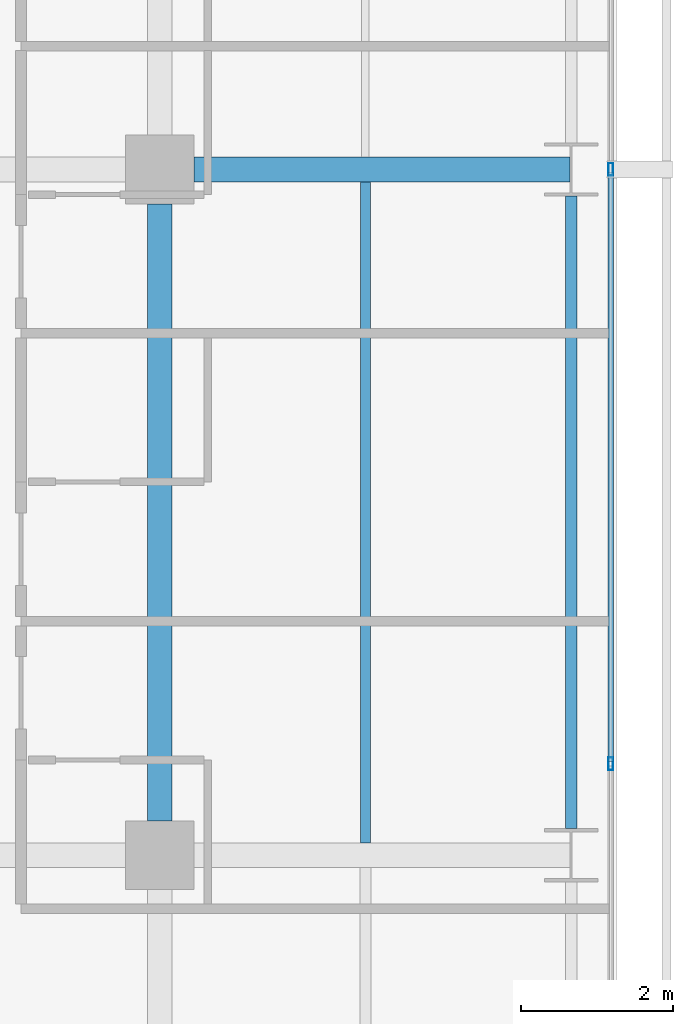
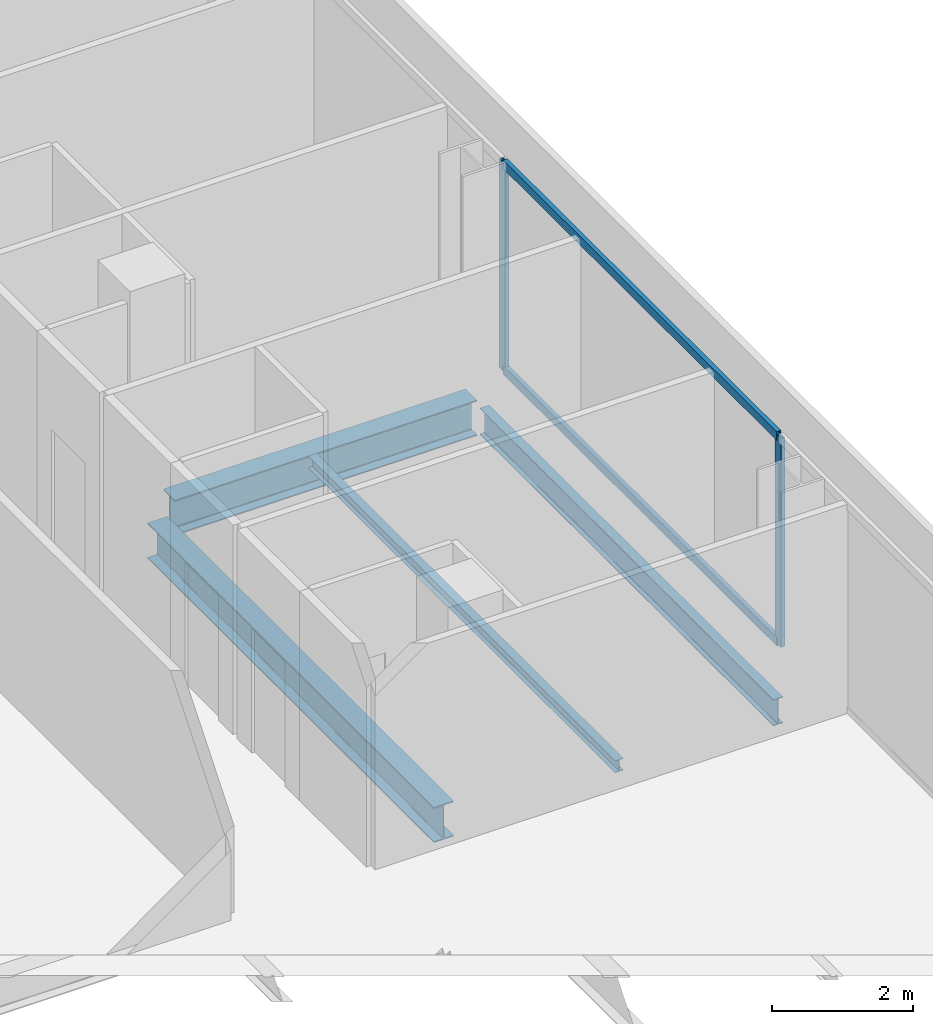
# One storey, part 19 of 40: 4 beams, 4 members, 1 element without a shape of its own.
"""IFC4 building model written with IfcOpenShell, lengths in metres."""

from ifc_helpers import new_model, si_unit, direction, frame, origin, origin_2d, place, context, subcontext, project, spatial, hollow_rectangle, i_section, extrude, material, layer, layer_set, material_profile, profile_set, type_object, element, aggregate, save


model = new_model("IFC4")

# Units and contexts
model_context = context("Model", 3, precision=1e-05, world=origin(), true_north=direction((0.0, 1.0)))
body_context = subcontext(model_context, "Body", "Model", "MODEL_VIEW")
ifc_project = project(units=[si_unit("LENGTHUNIT", "METRE"), si_unit("AREAUNIT", "SQUARE_METRE"), si_unit("VOLUMEUNIT", "CUBIC_METRE"), si_unit("PLANEANGLEUNIT", "RADIAN"), si_unit("MASSUNIT", "GRAM", prefix="KILO")], contexts=[model_context])

# Site, building, storey
site_placement = place(None, origin())
site = spatial("IfcSite", under=ifc_project, at=site_placement, CompositionType="ELEMENT")
building_placement = place(site_placement, origin())
building = spatial("IfcBuilding", under=site, at=building_placement, Name="Maruvema Waterfront Hotel and Observation Tower", CompositionType="ELEMENT")
storey_placement = place(building_placement, frame((0.0, 0.0, 107.800048828125)))
storey = spatial("IfcBuildingStorey", under=building, at=storey_placement, Name="L26", CompositionType="ELEMENT", Elevation=107.800048828125)

# Curtain wall, members
ifc_material_1 = material(Name="Anodised bronze aluminium and solar-control low-E IGU", Category="aluminium")
ifc_layer = layer(ifc_material_1, 0.159912109375, Name="Zone 1 Bronze Inner Thermal Curtain Wall System CW-02")
ifc_layer_set = layer_set([ifc_layer], Name="Anodised bronze aluminium and solar-control low-E IGU")
curtain_wall_type = type_object("IfcCurtainWallType", Name="Zone 1 Bronze Inner Thermal Curtain Wall System CW-02", PredefinedType="USERDEFINED", material=ifc_layer_set)
curtain_wall_placement = place(storey_placement, origin())
curtain_wall = element("IfcCurtainWall", 1, at=curtain_wall_placement, inside=storey, type_object=curtain_wall_type, Name="L26 Curtain Wall CW-L26-E", ObjectType="UNITISED CURTAIN WALL", PredefinedType="USERDEFINED")
ifc_material_2 = material(Name="Anodised architectural bronze aluminium", Category="aluminium")
ifc_material_profile_1 = material_profile(ifc_material_2, hollow_rectangle(XDim=0.070068359375, YDim=0.14990234375, WallThickness=0.00390625, at=origin_2d()), Name="ALU-T70x150")
ifc_profile_set_1 = profile_set([ifc_material_profile_1], Name="Anodised architectural bronze aluminium")
member_type_1 = type_object("IfcMemberType", Name="Curtain Wall Horizontal Transom ALU-T70x150", PredefinedType="USERDEFINED", material=ifc_profile_set_1)
member_1_placement = place(storey_placement, frame((64.719970703125, 19.22998046875, 0.030029296875), z_axis=(0.0, 1.0, 0.0), x_axis=(-1.0, 0.0, 0.0)))
member_1 = element("IfcMember", 2, at=member_1_placement, type_object=member_type_1, Name="CW-02 transom 3.1", ObjectType="TRANSOM", PredefinedType="USERDEFINED", context=body_context, shape_type="SweptSolid", body=[
    extrude(hollow_rectangle(XDim=0.070068359375, YDim=0.14990234375, WallThickness=0.00390625, at=origin_2d()), origin(), (0.0, 0.0, 1.0), 7.739990234375),
])
member_2_placement = place(storey_placement, frame((64.719970703125, 19.22998046875, 3.579833984375), z_axis=(0.0, 1.0, 0.0), x_axis=(-1.0, 0.0, 0.0)))
member_2 = element("IfcMember", 3, at=member_2_placement, type_object=member_type_1, Name="CW-02 transom 3.2", ObjectType="TRANSOM", PredefinedType="USERDEFINED", context=body_context, shape_type="SweptSolid", body=[
    extrude(hollow_rectangle(XDim=0.070068359375, YDim=0.14990234375, WallThickness=0.00390625, at=origin_2d()), origin(), (0.0, 0.0, 1.0), 7.739990234375),
])
ifc_material_3 = material(Name="Anodised architectural bronze aluminium", Category="aluminium")
ifc_material_profile_2 = material_profile(ifc_material_3, hollow_rectangle(XDim=0.06494140625, YDim=0.1650390625, WallThickness=0.00390625, at=origin_2d()), Name="ALU-M65x165")
ifc_profile_set_2 = profile_set([ifc_material_profile_2], Name="Anodised architectural bronze aluminium")
member_type_2 = type_object("IfcMemberType", Name="Curtain Wall Primary Mullion ALU-M65x165", PredefinedType="MULLION", material=ifc_profile_set_2)
member_3_placement = place(storey_placement, frame((64.719970703125, 19.199951171875, 0.0), z_axis=(0.0, 0.0, 1.0), x_axis=(-1.0, 0.0, 0.0)))
member_3 = element("IfcMember", 4, at=member_3_placement, type_object=member_type_2, Name="CW-02 mullion 3", PredefinedType="MULLION", context=body_context, shape_type="SweptSolid", body=[
    extrude(hollow_rectangle(XDim=0.06494140625, YDim=0.1650390625, WallThickness=0.00390625, at=origin_2d()), origin(), (0.0, 0.0, 1.0), 3.60986328125),
])
member_4_placement = place(storey_placement, frame((64.719970703125, 27.0, 0.0), z_axis=(0.0, 0.0, 1.0), x_axis=(-1.0, 0.0, 0.0)))
member_4 = element("IfcMember", 5, at=member_4_placement, type_object=member_type_2, Name="CW-02 mullion 4", PredefinedType="MULLION", context=body_context, shape_type="SweptSolid", body=[
    extrude(hollow_rectangle(XDim=0.06494140625, YDim=0.1650390625, WallThickness=0.00390625, at=origin_2d()), origin(), (0.0, 0.0, 1.0), 3.60986328125),
])
aggregate(curtain_wall, [member_3, member_4, member_1, member_2])

# Beams
ifc_material_4 = material(Name="Steel ASTM A572 Grade 50", Category="steel")
ifc_material_profile_3 = material_profile(ifc_material_4, i_section(OverallWidth=0.153076171875, OverallDepth=0.455078125, WebThickness=0.008056640625, FlangeThickness=0.01318359375, FilletRadius=0.014892578125, at=origin_2d()), Name="W460x60.0")
ifc_profile_set_3 = profile_set([ifc_material_profile_3], Name="Steel ASTM A572 Grade 50")
beam_type_1 = type_object("IfcBeamType", Name="Perimeter Spandrel Beam W460x60.0", PredefinedType="SPANDREL", material=ifc_profile_set_3)
beam_1_placement = place(storey_placement, frame((64.199951171875, 18.35009765625, -0.467529296875), z_axis=(0.0, 1.0, 0.0), x_axis=(-1.0, 0.0, 0.0)))
element("IfcBeam", 6, at=beam_1_placement, inside=storey, type_object=beam_type_1, Name="L26 Floor Girder NS-34", PredefinedType="SPANDREL", context=body_context, shape_type="SweptSolid", body=[
    extrude(i_section(OverallWidth=0.153076171875, OverallDepth=0.455078125, WebThickness=0.008056640625, FlangeThickness=0.01318359375, FilletRadius=0.014892578125, at=origin_2d()), origin(), (0.0, 0.0, 1.0), 8.2998046875),
])
ifc_material_5 = material(Name="Steel ASTM A572 Grade 50", Category="steel")
ifc_material_profile_4 = material_profile(ifc_material_5, i_section(OverallWidth=0.323974609375, OverallDepth=0.611083984375, WebThickness=0.0126953125, FlangeThickness=0.01904296875, FilletRadius=0.01806640625, at=origin_2d()), Name="W610x155.0")
ifc_profile_set_4 = profile_set([ifc_material_profile_4], Name="Steel ASTM A572 Grade 50")
beam_type_2 = type_object("IfcBeamType", Name="Primary Floor Girder W610x155.0", PredefinedType="BEAM", material=ifc_profile_set_4)
beam_2_placement = place(storey_placement, frame((59.25, 27.0, -0.545654296875), z_axis=(1.0, 0.0, 0.0), x_axis=(0.0, 1.0, 0.0)))
element("IfcBeam", 7, at=beam_2_placement, inside=storey, type_object=beam_type_2, Name="L26 Floor Girder EW-24", PredefinedType="BEAM", context=body_context, shape_type="SweptSolid", body=[
    extrude(i_section(OverallWidth=0.323974609375, OverallDepth=0.611083984375, WebThickness=0.0126953125, FlangeThickness=0.01904296875, FilletRadius=0.01806640625, at=origin_2d()), origin(), (0.0, 0.0, 1.0), 4.93603515625),
])
beam_3_placement = place(storey_placement, frame((58.800048828125, 18.449951171875, -0.545654296875), z_axis=(0.0, 1.0, 0.0), x_axis=(-1.0, 0.0, 0.0)))
element("IfcBeam", 8, at=beam_3_placement, inside=storey, type_object=beam_type_2, Name="L26 Floor Girder NS-29", PredefinedType="BEAM", context=body_context, shape_type="SweptSolid", body=[
    extrude(i_section(OverallWidth=0.323974609375, OverallDepth=0.611083984375, WebThickness=0.0126953125, FlangeThickness=0.01904296875, FilletRadius=0.01806640625, at=origin_2d()), origin(), (0.0, 0.0, 1.0), 8.10009765625),
])
ifc_material_6 = material(Name="Steel ASTM A572 Grade 50", Category="steel")
ifc_material_profile_5 = material_profile(ifc_material_6, i_section(OverallWidth=0.133056640625, OverallDepth=0.20703125, WebThickness=0.005859375, FlangeThickness=0.00830078125, FilletRadius=0.010009765625, at=origin_2d()), Name="W200x26.6")
ifc_profile_set_5 = profile_set([ifc_material_profile_5], Name="Steel ASTM A572 Grade 50")
beam_type_3 = type_object("IfcBeamType", Name="Secondary Floor Joist W200x26.6", PredefinedType="JOIST", material=ifc_profile_set_5)
beam_4_placement = place(storey_placement, frame((61.5, 18.162109375, -0.343505859375), z_axis=(0.0, 1.0, 0.0), x_axis=(-1.0, 0.0, 0.0)))
element("IfcBeam", 9, at=beam_4_placement, inside=storey, type_object=beam_type_3, Name="L26 Secondary Floor Joist JS-22", PredefinedType="JOIST", context=body_context, shape_type="SweptSolid", body=[
    extrude(i_section(OverallWidth=0.133056640625, OverallDepth=0.20703125, WebThickness=0.005859375, FlangeThickness=0.00830078125, FilletRadius=0.010009765625, at=origin_2d()), origin(), (0.0, 0.0, 1.0), 8.67578125),
])

save(model, "model.ifc")
